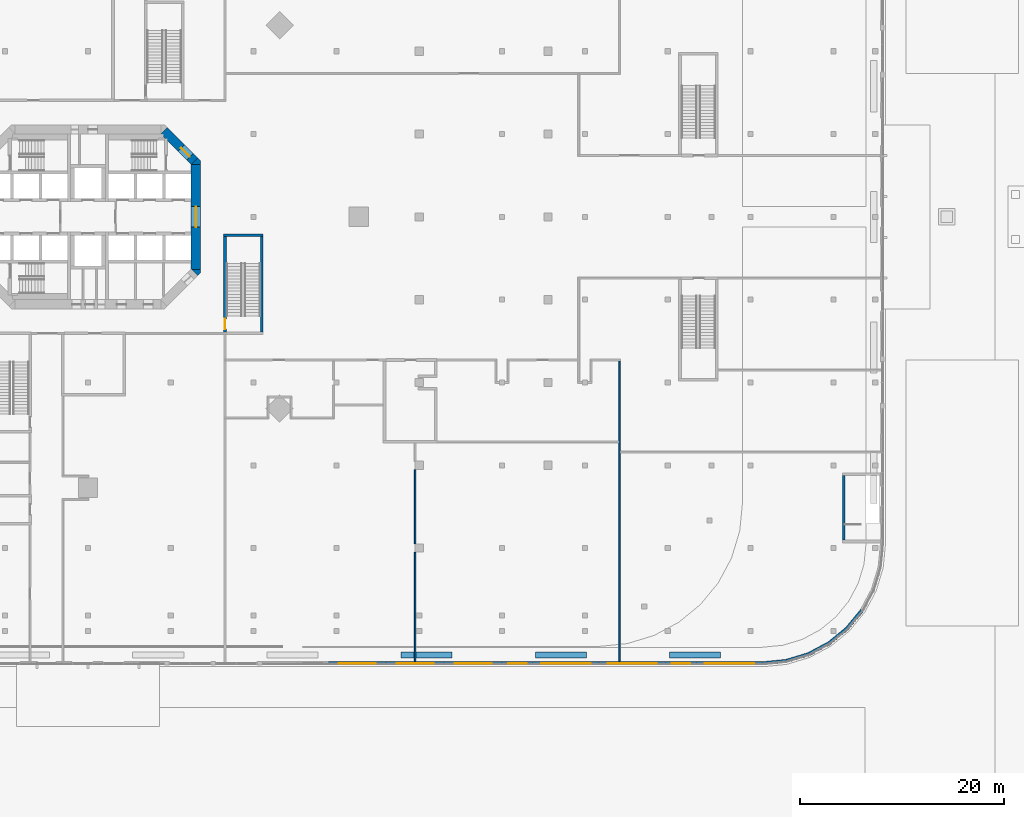
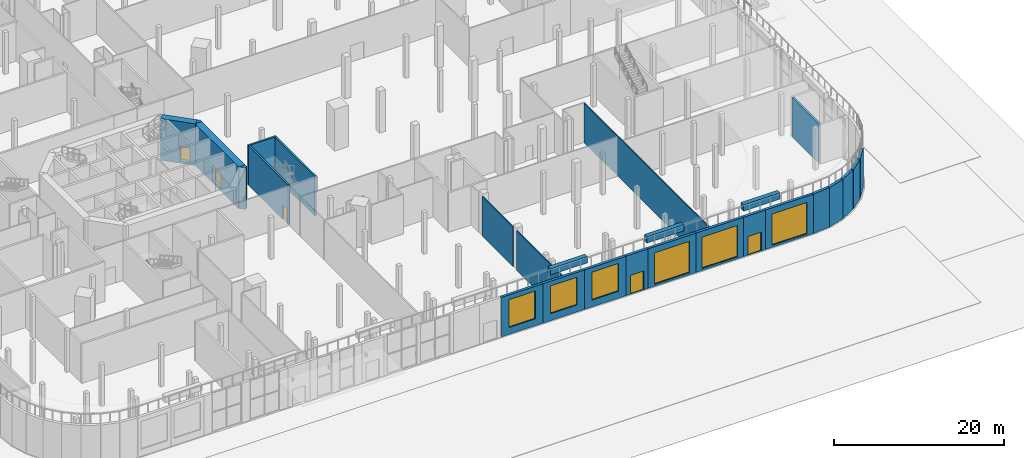
# One storey, part 17 of 32: 27 walls, 6 windows, 5 doors, 11 openings.
"""IFC4 building model written with IfcOpenShell, lengths in metres."""

from ifc_helpers import new_model, si_unit, direction, frame, frame_2d, origin, place, context, subcontext, project, spatial, polyline, rectangle, outline, extrude, material, layer, layer_set, type_object, element, fill, save


model = new_model("IFC4")

# Units and contexts
model_context = context("Model", 3, precision=1e-05, world=origin(), true_north=direction((0.0, 1.0)))
body_context = subcontext(model_context, "Body", "Model", "MODEL_VIEW")
ifc_project = project(units=[si_unit("LENGTHUNIT", "METRE"), si_unit("AREAUNIT", "SQUARE_METRE"), si_unit("VOLUMEUNIT", "CUBIC_METRE"), si_unit("PLANEANGLEUNIT", "RADIAN"), si_unit("MASSUNIT", "GRAM", prefix="KILO")], contexts=[model_context])

# Site, building, storey
site_placement = place(None, origin())
site = spatial("IfcSite", under=ifc_project, at=site_placement, CompositionType="ELEMENT")
building_placement = place(site_placement, origin())
building = spatial("IfcBuilding", under=site, at=building_placement, Name="Torre Triforio", CompositionType="ELEMENT")
storey_placement = place(building_placement, origin())
storey = spatial("IfcBuildingStorey", under=building, at=storey_placement, Name="L00", CompositionType="ELEMENT", Elevation=0.0)

# Wall, opening, door
ifc_material_1 = material(Name="Concrete C60", Category="concrete")
ifc_layer_1 = layer(ifc_material_1, 0.89990234375)
ifc_layer_set_1 = layer_set([ifc_layer_1], Name="Concrete C60")
wall_type_1 = type_object("IfcWallType", Name="Core wall 900 mm C60 EI 120", PredefinedType="SHEAR", material=ifc_layer_set_1)
wall_1_placement = place(storey_placement, frame((10.550048828125, -5.1298828125, -0.320068359375), z_axis=(0.0, 0.0, 1.0), x_axis=(0.0, 1.0, 0.0)))
wall_1 = element("IfcWall", 1, at=wall_1_placement, inside=storey, type_object=wall_type_1, Name="Core wall", PredefinedType="SHEAR", context=body_context, shape_type="SweptSolid", body=[
    extrude(rectangle(XDim=10.259765625, YDim=0.89990234375, at=frame_2d((5.1298828125, 0.0))), origin(), (0.0, 0.0, 1.0), 6.0),
])
opening_1_placement = place(wall_1_placement, frame((4.1298828125, 0.0, 0.320068359375)))
opening_1 = element("IfcOpeningElement", 2, at=opening_1_placement, cuts=wall_1, Name="Opening E-RING", PredefinedType="OPENING", context=body_context, shape_type="SweptSolid", body=[
    extrude(rectangle(XDim=2.0, YDim=2.10009765625, at=frame_2d((1.0, 1.050048828125))), frame((0.0, 0.4599609375, 0.0), z_axis=(0.0, -1.0, 0.0), x_axis=(1.0, 0.0, 0.0)), (0.0, 0.0, 1.0), 0.919921875),
])
ifc_material_2 = material(Name="Hollow metal fire door leaf")
door_type_1 = type_object("IfcDoorType", Name="Lobby door 2000 x 2100 EI 60", OperationType="DOUBLE_DOOR_SINGLE_SWING", PredefinedType="DOOR", material=ifc_material_2)
door_1_placement = place(opening_1_placement, origin())
door_1 = element("IfcDoor", 3, at=door_1_placement, inside=storey, type_object=door_type_1, Name="Core door E-RING", OperationType="DOUBLE_DOOR_SINGLE_SWING", OverallHeight=2.10009765625, OverallWidth=2.0, PredefinedType="DOOR", context=body_context, shape_type="SweptSolid", body=[
    extrude(rectangle(XDim=2.0, YDim=2.10009765625, at=frame_2d((1.0, 1.050048828125))), frame((0.0, 0.02490234375, 0.0), z_axis=(0.0, -1.0, 0.0), x_axis=(1.0, 0.0, 0.0)), (0.0, 0.0, 1.0), 0.050048828125),
])
fill(opening_1, door_1)

wall_2_placement = place(storey_placement, frame((7.418212890625, 8.418212890625, -0.320068359375), z_axis=(0.0, 0.0, 1.0), x_axis=(0.707106781187, -0.707106781187, 0.0)))
wall_2 = element("IfcWall", 4, at=wall_2_placement, inside=storey, type_object=wall_type_1, Name="Core wall", PredefinedType="SHEAR", context=body_context, shape_type="SweptSolid", body=[
    extrude(rectangle(XDim=4.24267578125, YDim=0.89990234375, at=frame_2d((2.121337890625, 0.0))), origin(), (0.0, 0.0, 1.0), 6.0),
])
opening_2_placement = place(wall_2_placement, frame((2.392578125, 0.0, 0.320068359375)))
opening_2 = element("IfcOpeningElement", 5, at=opening_2_placement, cuts=wall_2, Name="Opening ST2-EXIT", PredefinedType="OPENING", context=body_context, shape_type="SweptSolid", body=[
    extrude(rectangle(XDim=1.199951171875, YDim=2.10009765625, at=frame_2d((0.60009765625, 1.050048828125))), frame((0.0, 0.4599609375, 0.0), z_axis=(0.0, -1.0, 0.0), x_axis=(1.0, 0.0, 0.0)), (0.0, 0.0, 1.0), 0.919921875),
])
door_type_2 = type_object("IfcDoorType", Name="Stair lobby door 1200 x 2100 EI 60", OperationType="NOTDEFINED", PredefinedType="DOOR", material=ifc_material_2)
door_2_placement = place(opening_2_placement, origin())
door_2 = element("IfcDoor", 6, at=door_2_placement, inside=storey, type_object=door_type_2, Name="Core door ST2-EXIT", OperationType="SINGLE_SWING_LEFT", OverallHeight=2.10009765625, OverallWidth=1.199951171875, PredefinedType="DOOR", context=body_context, shape_type="SweptSolid", body=[
    extrude(rectangle(XDim=1.199951171875, YDim=2.10009765625, at=frame_2d((0.60009765625, 1.050048828125))), frame((0.0, 0.02490234375, 0.0), z_axis=(0.0, -1.0, 0.0), x_axis=(1.0, 0.0, 0.0)), (0.0, 0.0, 1.0), 0.050048828125),
])
fill(opening_2, door_2)

# Walls
wall_3_placement = place(storey_placement, frame((0.0, 0.0, -0.320068359375)))
element("IfcWall", 7, at=wall_3_placement, inside=storey, type_object=wall_type_1, Name="Core wall", PredefinedType="SHEAR", context=body_context, shape_type="SweptSolid", body=[
    extrude(outline(polyline([(11.0, -5.472900390625), (10.736328125, -5.736328125), (10.1298828125, -5.1298828125), (11.0, -5.1298828125), (11.0, -5.472900390625)])), origin(), (0.0, 0.0, 1.0), 6.0),
])
wall_4_placement = place(storey_placement, frame((0.0, 0.0, -0.320068359375)))
element("IfcWall", 8, at=wall_4_placement, inside=storey, type_object=wall_type_1, Name="Core wall", PredefinedType="SHEAR", context=body_context, shape_type="SweptSolid", body=[
    extrude(outline(polyline([(11.0, 5.472900390625), (11.0, 5.1298828125), (10.1298828125, 5.1298828125), (10.736328125, 5.736328125), (11.0, 5.472900390625)])), origin(), (0.0, 0.0, 1.0), 6.0),
])
ifc_material_3 = material(Name="Plasterboard on metal studs")
ifc_layer_2 = layer(ifc_material_3, 0.14990234375)
ifc_layer_set_2 = layer_set([ifc_layer_2], Name="Plasterboard on metal studs")
wall_type_2 = type_object("IfcWallType", Name="Corridor wall 150 EI 60", PredefinedType="PARTITIONING", material=ifc_layer_set_2)
wall_5_placement = place(storey_placement, frame((52.0, -43.5, 0.0), z_axis=(0.0, 0.0, 1.0), x_axis=(0.0, 1.0, 0.0)))
element("IfcWall", 9, at=wall_5_placement, inside=storey, type_object=wall_type_2, Name="Corridor wall L00 170", PredefinedType="PARTITIONING", context=body_context, shape_type="SweptSolid", body=[
    extrude(rectangle(XDim=29.425048828125, YDim=0.14990234375, at=frame_2d((14.71240234375, 0.0))), origin(), (0.0, 0.0, 1.0), 5.679931640625),
])
wall_6_placement = place(storey_placement, frame((32.0, -43.5, 0.0), z_axis=(0.0, 0.0, 1.0), x_axis=(0.0, 1.0, 0.0)))
element("IfcWall", 10, at=wall_6_placement, inside=storey, type_object=wall_type_2, Name="Corridor wall L00 173", PredefinedType="PARTITIONING", context=body_context, shape_type="SweptSolid", body=[
    extrude(rectangle(XDim=10.68994140625, YDim=0.14990234375, at=frame_2d((5.344970703125, 0.0))), origin(), (0.0, 0.0, 1.0), 5.679931640625),
])
wall_7_placement = place(storey_placement, frame((32.0, -31.989990234375, 0.0), z_axis=(0.0, 0.0, 1.0), x_axis=(0.0, 1.0, 0.0)))
element("IfcWall", 11, at=wall_7_placement, inside=storey, type_object=wall_type_2, Name="Corridor wall L00 174", PredefinedType="PARTITIONING", context=body_context, shape_type="SweptSolid", body=[
    extrude(rectangle(XDim=7.280029296875, YDim=0.14990234375, at=frame_2d((3.64013671875, 0.0))), origin(), (0.0, 0.0, 1.0), 5.679931640625),
])
ifc_material_4 = material(Name="Concrete C40", Category="concrete")
ifc_layer_3 = layer(ifc_material_4, 0.25)
ifc_layer_set_3 = layer_set([ifc_layer_3], Name="Concrete C40")
wall_type_3 = type_object("IfcWallType", Name="Stair enclosure wall 250 EI 120", PredefinedType="STANDARD", material=ifc_layer_set_3)
wall_8_placement = place(storey_placement, frame((73.89990234375, -31.625, 0.0), z_axis=(0.0, 0.0, 1.0), x_axis=(0.0, 1.0, 0.0)))
element("IfcWall", 12, at=wall_8_placement, inside=storey, type_object=wall_type_3, Name="Stair enclosure wall L00 025", PredefinedType="STANDARD", context=body_context, shape_type="SweptSolid", body=[
    extrude(rectangle(XDim=6.31005859375, YDim=0.25, at=frame_2d((3.155029296875, 0.0))), origin(), (0.0, 0.0, 1.0), 5.679931640625),
])
wall_9_placement = place(storey_placement, frame((13.27490234375, -1.800048828125, 0.0), z_axis=(0.0, 0.0, 1.0), x_axis=(1.0, 0.0, 0.0)))
element("IfcWall", 13, at=wall_9_placement, inside=storey, type_object=wall_type_3, Name="Stair enclosure wall L00 105", PredefinedType="STANDARD", context=body_context, shape_type="SweptSolid", body=[
    extrude(rectangle(XDim=3.85009765625, YDim=0.25, at=frame_2d((1.925048828125, 0.0))), origin(), (0.0, 0.0, 1.0), 5.679931640625),
])
wall_10_placement = place(storey_placement, frame((17.0, -11.27490234375, 0.0), z_axis=(0.0, 0.0, 1.0), x_axis=(0.0, 1.0, 0.0)))
element("IfcWall", 14, at=wall_10_placement, inside=storey, type_object=wall_type_3, Name="Stair enclosure wall L00 106", PredefinedType="STANDARD", context=body_context, shape_type="SweptSolid", body=[
    extrude(rectangle(XDim=9.349853515625, YDim=0.25, at=frame_2d((4.6748046875, 0.0))), origin(), (0.0, 0.0, 1.0), 5.679931640625),
])

# Wall, opening, door
wall_11_placement = place(storey_placement, frame((13.39990234375, -11.27490234375, 0.0), z_axis=(0.0, 0.0, 1.0), x_axis=(0.0, 1.0, 0.0)))
wall_11 = element("IfcWall", 15, at=wall_11_placement, inside=storey, type_object=wall_type_3, Name="Stair enclosure wall L00 135", PredefinedType="STANDARD", context=body_context, shape_type="SweptSolid", body=[
    extrude(rectangle(XDim=9.349853515625, YDim=0.25, at=frame_2d((4.6748046875, 0.0))), origin(), (0.0, 0.0, 1.0), 5.679931640625),
])
opening_3_placement = place(wall_11_placement, frame((0.300048828125, 0.0, 0.0)))
opening_3 = element("IfcOpeningElement", 16, at=opening_3_placement, cuts=wall_11, Name="Opening P0-02", PredefinedType="OPENING", context=body_context, shape_type="SweptSolid", body=[
    extrude(rectangle(XDim=1.0, YDim=2.10009765625, at=frame_2d((0.5, 1.050048828125))), frame((0.0, 0.135009765625, 0.0), z_axis=(0.0, -1.0, 0.0), x_axis=(1.0, 0.0, 0.0)), (0.0, 0.0, 1.0), 0.27001953125),
])
door_type_3 = type_object("IfcDoorType", Name="Stair door 1000 x 2100 EI 90", OperationType="NOTDEFINED", PredefinedType="DOOR", material=ifc_material_2)
door_3_placement = place(opening_3_placement, origin())
door_3 = element("IfcDoor", 17, at=door_3_placement, inside=storey, type_object=door_type_3, Name="Door P0-02", OperationType="SINGLE_SWING_LEFT", OverallHeight=2.10009765625, OverallWidth=1.0, PredefinedType="DOOR", context=body_context, shape_type="SweptSolid", body=[
    extrude(rectangle(XDim=1.0, YDim=2.10009765625, at=frame_2d((0.5, 1.050048828125))), frame((0.0, 0.02490234375, 0.0), z_axis=(0.0, -1.0, 0.0), x_axis=(1.0, 0.0, 0.0)), (0.0, 0.0, 1.0), 0.050048828125),
])
fill(opening_3, door_3)

# Walls
ifc_material_5 = material(Name="Limestone cladding", Category="masonry")
ifc_layer_4 = layer(ifc_material_5, 0.10009765625)
ifc_layer_5 = layer(ifc_material_4, 0.25)
ifc_layer_set_4 = layer_set([ifc_layer_4, ifc_layer_5], Name="Limestone cladding / Concrete C40")
wall_type_4 = type_object("IfcWallType", Name="Stone-clad podium wall 350", PredefinedType="STANDARD", material=ifc_layer_set_4)
wall_12_placement = place(storey_placement, frame((65.98388671875, -43.675048828125, 0.0), z_axis=(0.0, 0.0, 1.0), x_axis=(0.995187085002, 0.097993192849, 0.0)))
element("IfcWall", 18, at=wall_12_placement, inside=storey, type_object=wall_type_4, Name="External wall L00 e00.0.w0", PredefinedType="STANDARD", context=body_context, shape_type="SweptSolid", body=[
    extrude(rectangle(XDim=2.304443359375, YDim=0.35009765625, at=frame_2d((1.15234375, 0.0))), origin(), (0.0, 0.0, 1.0), 5.679931640625),
])
wall_13_placement = place(storey_placement, frame((68.27734375, -43.44921875, 0.0), z_axis=(0.0, 0.0, 1.0), x_axis=(0.956940921075, 0.29028274763, 0.0)))
element("IfcWall", 19, at=wall_13_placement, inside=storey, type_object=wall_type_4, Name="External wall L00 e01.0.w0", PredefinedType="STANDARD", context=body_context, shape_type="SweptSolid", body=[
    extrude(rectangle(XDim=2.28857421875, YDim=0.35009765625, at=frame_2d((1.144287109375, 0.0))), origin(), (0.0, 0.0, 1.0), 5.679931640625),
])
for number, where, z_axis, x_axis, name in (
    (20, (70.46728515625, -42.784912109375, 0.0), (0.0, 0.0, 1.0), (0.881888841544, 0.47145739061, 0.0), "External wall L00 e02.0.w0"),
    (21, (72.4853515625, -41.7060546875, 0.0), (0.0, 0.0, 1.0), (0.773043858187, 0.634352578082, 0.0), "External wall L00 e03.0.w0"),
    (22, (74.25439453125, -40.25439453125, 0.0), (0.0, 0.0, 1.0), (0.634352578082, 0.773043858187, 0.0), "External wall L00 e04.0.w0"),
):
    element("IfcWall", number, at=place(storey_placement, frame(where, z_axis=z_axis, x_axis=x_axis)), inside=storey, type_object=wall_type_4, Name=name, PredefinedType="STANDARD", context=body_context, shape_type="SweptSolid", body=[
        extrude(rectangle(XDim=2.288330078125, YDim=0.35009765625, at=frame_2d((1.14404296875, 0.0))), origin(), (0.0, 0.0, 1.0), 5.679931640625),
    ])

# Wall, opening, window
wall_14_placement = place(storey_placement, frame((23.5, -43.675048828125, 0.0), z_axis=(0.0, 0.0, 1.0), x_axis=(1.0, 0.0, 0.0)))
wall_14 = element("IfcWall", 23, at=wall_14_placement, inside=storey, type_object=wall_type_4, Name="External wall L00 e35.6.w0", PredefinedType="STANDARD", context=body_context, shape_type="SweptSolid", body=[
    extrude(rectangle(XDim=5.666748046875, YDim=0.35009765625, at=frame_2d((2.83349609375, 0.0))), origin(), (0.0, 0.0, 1.0), 5.679931640625),
])
opening_4_placement = place(wall_14_placement, frame((1.033203125, 0.0, 1.0)))
opening_4 = element("IfcOpeningElement", 24, at=opening_4_placement, cuts=wall_14, Name="Opening P0-W15", PredefinedType="OPENING", context=body_context, shape_type="SweptSolid", body=[
    extrude(rectangle(XDim=3.60009765625, YDim=4.0, at=frame_2d((1.800048828125, 2.0))), frame((0.0, 0.18505859375, 0.0), z_axis=(0.0, -1.0, 0.0), x_axis=(1.0, 0.0, 0.0)), (0.0, 0.0, 1.0), 0.3701171875),
])
ifc_material_6 = material(Name="Aluminium frame with clear double glazing", Category="aluminium")
window_type_1 = type_object("IfcWindowType", Name="Podium window 3600 x 4000", PartitioningType="DOUBLE_PANEL_VERTICAL", PredefinedType="WINDOW", material=ifc_material_6)
window_1_placement = place(opening_4_placement, origin())
window_1 = element("IfcWindow", 25, at=window_1_placement, inside=storey, type_object=window_type_1, Name="Window L00 e35.6.w0", OverallHeight=4.0, OverallWidth=3.60009765625, PartitioningType="SINGLE_PANEL", PredefinedType="WINDOW", context=body_context, shape_type="SweptSolid", body=[
    extrude(rectangle(XDim=3.60009765625, YDim=4.0, at=frame_2d((1.800048828125, 2.0))), frame((0.0, 0.030029296875, 0.0), z_axis=(0.0, -1.0, 0.0), x_axis=(1.0, 0.0, 0.0)), (0.0, 0.0, 1.0), 0.06005859375),
])
fill(opening_4, window_1)

wall_15_placement = place(storey_placement, frame((29.166748046875, -43.675048828125, 0.0), z_axis=(0.0, 0.0, 1.0), x_axis=(1.0, 0.0, 0.0)))
wall_15 = element("IfcWall", 26, at=wall_15_placement, inside=storey, type_object=wall_type_4, Name="External wall L00 e35.6.w1", PredefinedType="STANDARD", context=body_context, shape_type="SweptSolid", body=[
    extrude(rectangle(XDim=5.66650390625, YDim=0.35009765625, at=frame_2d((2.833251953125, 0.0))), origin(), (0.0, 0.0, 1.0), 5.679931640625),
])
opening_5_placement = place(wall_15_placement, frame((1.033203125, 0.0, 1.0)))
opening_5 = element("IfcOpeningElement", 27, at=opening_5_placement, cuts=wall_15, Name="Opening P0-W16", PredefinedType="OPENING", context=body_context, shape_type="SweptSolid", body=[
    extrude(rectangle(XDim=3.60009765625, YDim=4.0, at=frame_2d((1.800048828125, 2.0))), frame((0.0, 0.18505859375, 0.0), z_axis=(0.0, -1.0, 0.0), x_axis=(1.0, 0.0, 0.0)), (0.0, 0.0, 1.0), 0.3701171875),
])
window_2_placement = place(opening_5_placement, origin())
window_2 = element("IfcWindow", 28, at=window_2_placement, inside=storey, type_object=window_type_1, Name="Window L00 e35.6.w1", OverallHeight=4.0, OverallWidth=3.60009765625, PartitioningType="SINGLE_PANEL", PredefinedType="WINDOW", context=body_context, shape_type="SweptSolid", body=[
    extrude(rectangle(XDim=3.60009765625, YDim=4.0, at=frame_2d((1.800048828125, 2.0))), frame((0.0, 0.030029296875, 0.0), z_axis=(0.0, -1.0, 0.0), x_axis=(1.0, 0.0, 0.0)), (0.0, 0.0, 1.0), 0.06005859375),
])
fill(opening_5, window_2)

wall_16_placement = place(storey_placement, frame((34.833251953125, -43.675048828125, 0.0), z_axis=(0.0, 0.0, 1.0), x_axis=(1.0, 0.0, 0.0)))
wall_16 = element("IfcWall", 29, at=wall_16_placement, inside=storey, type_object=wall_type_4, Name="External wall L00 e35.6.w2", PredefinedType="STANDARD", context=body_context, shape_type="SweptSolid", body=[
    extrude(rectangle(XDim=5.666748046875, YDim=0.35009765625, at=frame_2d((2.83349609375, 0.0))), origin(), (0.0, 0.0, 1.0), 5.679931640625),
])
opening_6_placement = place(wall_16_placement, frame((1.033203125, 0.0, 1.0)))
opening_6 = element("IfcOpeningElement", 30, at=opening_6_placement, cuts=wall_16, Name="Opening P0-W17", PredefinedType="OPENING", context=body_context, shape_type="SweptSolid", body=[
    extrude(rectangle(XDim=3.60009765625, YDim=4.0, at=frame_2d((1.800048828125, 2.0))), frame((0.0, 0.18505859375, 0.0), z_axis=(0.0, -1.0, 0.0), x_axis=(1.0, 0.0, 0.0)), (0.0, 0.0, 1.0), 0.3701171875),
])
window_3_placement = place(opening_6_placement, origin())
window_3 = element("IfcWindow", 31, at=window_3_placement, inside=storey, type_object=window_type_1, Name="Window L00 e35.6.w2", OverallHeight=4.0, OverallWidth=3.60009765625, PartitioningType="SINGLE_PANEL", PredefinedType="WINDOW", context=body_context, shape_type="SweptSolid", body=[
    extrude(rectangle(XDim=3.60009765625, YDim=4.0, at=frame_2d((1.800048828125, 2.0))), frame((0.0, 0.030029296875, 0.0), z_axis=(0.0, -1.0, 0.0), x_axis=(1.0, 0.0, 0.0)), (0.0, 0.0, 1.0), 0.06005859375),
])
fill(opening_6, window_3)

# Wall, opening, door
wall_17_placement = place(storey_placement, frame((40.5, -43.675048828125, 0.0), z_axis=(0.0, 0.0, 1.0), x_axis=(1.0, 0.0, 0.0)))
wall_17 = element("IfcWall", 32, at=wall_17_placement, inside=storey, type_object=wall_type_4, Name="External wall L00 e35.7", PredefinedType="STANDARD", context=body_context, shape_type="SweptSolid", body=[
    extrude(rectangle(XDim=3.0, YDim=0.35009765625, at=frame_2d((1.5, 0.0))), origin(), (0.0, 0.0, 1.0), 5.679931640625),
])
opening_7_placement = place(wall_17_placement, frame((0.60009765625, 0.0, 0.0)))
opening_7 = element("IfcOpeningElement", 33, at=opening_7_placement, cuts=wall_17, Name="Opening P0-48", PredefinedType="OPENING", context=body_context, shape_type="SweptSolid", body=[
    extrude(rectangle(XDim=1.800048828125, YDim=2.699951171875, at=frame_2d((0.89990234375, 1.35009765625))), frame((0.0, 0.18505859375, 0.0), z_axis=(0.0, -1.0, 0.0), x_axis=(1.0, 0.0, 0.0)), (0.0, 0.0, 1.0), 0.3701171875),
])
ifc_material_7 = material(Name="Glazed aluminium door", Category="aluminium")
door_type_4 = type_object("IfcDoorType", Name="Shopfront double door 1800 x 2700", OperationType="NOTDEFINED", PredefinedType="DOOR", material=ifc_material_7)
door_4_placement = place(opening_7_placement, frame((1.800048828125, 0.0, 0.0), z_axis=(0.0, 0.0, 1.0), x_axis=(-1.0, 0.0, 0.0)))
door_4 = element("IfcDoor", 34, at=door_4_placement, inside=storey, type_object=door_type_4, Name="Door P0-48", OperationType="SINGLE_SWING_RIGHT", OverallHeight=2.699951171875, OverallWidth=1.800048828125, PredefinedType="DOOR", context=body_context, shape_type="SweptSolid", body=[
    extrude(rectangle(XDim=1.800048828125, YDim=2.699951171875, at=frame_2d((0.89990234375, 1.35009765625))), frame((0.0, 0.02490234375, 0.0), z_axis=(0.0, -1.0, 0.0), x_axis=(1.0, 0.0, 0.0)), (0.0, 0.0, 1.0), 0.050048828125),
])
fill(opening_7, door_4)

# Wall, opening, window
wall_18_placement = place(storey_placement, frame((43.5, -43.675048828125, 0.0), z_axis=(0.0, 0.0, 1.0), x_axis=(1.0, 0.0, 0.0)))
wall_18 = element("IfcWall", 35, at=wall_18_placement, inside=storey, type_object=wall_type_4, Name="External wall L00 e35.8.w0", PredefinedType="STANDARD", context=body_context, shape_type="SweptSolid", body=[
    extrude(rectangle(XDim=6.5, YDim=0.35009765625, at=frame_2d((3.25, 0.0))), origin(), (0.0, 0.0, 1.0), 5.679931640625),
])
opening_8_placement = place(wall_18_placement, frame((0.85009765625, 0.0, 0.300048828125)))
opening_8 = element("IfcOpeningElement", 36, at=opening_8_placement, cuts=wall_18, Name="Opening P0-W18", PredefinedType="OPENING", context=body_context, shape_type="SweptSolid", body=[
    extrude(rectangle(XDim=4.800048828125, YDim=4.5, at=frame_2d((2.39990234375, 2.25))), frame((0.0, 0.18505859375, 0.0), z_axis=(0.0, -1.0, 0.0), x_axis=(1.0, 0.0, 0.0)), (0.0, 0.0, 1.0), 0.3701171875),
])
ifc_material_8 = material(Name="Aluminium frame with clear laminated glazing", Category="aluminium")
window_type_2 = type_object("IfcWindowType", Name="Shopfront window 4800 x 4500", PartitioningType="DOUBLE_PANEL_VERTICAL", PredefinedType="WINDOW", material=ifc_material_8)
window_4_placement = place(opening_8_placement, origin())
window_4 = element("IfcWindow", 37, at=window_4_placement, inside=storey, type_object=window_type_2, Name="Window L00 e35.8.w0", OverallHeight=4.5, OverallWidth=4.800048828125, PartitioningType="SINGLE_PANEL", PredefinedType="WINDOW", context=body_context, shape_type="SweptSolid", body=[
    extrude(rectangle(XDim=4.800048828125, YDim=4.5, at=frame_2d((2.39990234375, 2.25))), frame((0.0, 0.030029296875, 0.0), z_axis=(0.0, -1.0, 0.0), x_axis=(1.0, 0.0, 0.0)), (0.0, 0.0, 1.0), 0.06005859375),
])
fill(opening_8, window_4)

wall_19_placement = place(storey_placement, frame((50.0, -43.675048828125, 0.0), z_axis=(0.0, 0.0, 1.0), x_axis=(1.0, 0.0, 0.0)))
wall_19 = element("IfcWall", 38, at=wall_19_placement, inside=storey, type_object=wall_type_4, Name="External wall L00 e35.8.w1", PredefinedType="STANDARD", context=body_context, shape_type="SweptSolid", body=[
    extrude(rectangle(XDim=6.5, YDim=0.35009765625, at=frame_2d((3.25, 0.0))), origin(), (0.0, 0.0, 1.0), 5.679931640625),
])
opening_9_placement = place(wall_19_placement, frame((0.85009765625, 0.0, 0.300048828125)))
opening_9 = element("IfcOpeningElement", 39, at=opening_9_placement, cuts=wall_19, Name="Opening P0-W19", PredefinedType="OPENING", context=body_context, shape_type="SweptSolid", body=[
    extrude(rectangle(XDim=4.800048828125, YDim=4.5, at=frame_2d((2.39990234375, 2.25))), frame((0.0, 0.18505859375, 0.0), z_axis=(0.0, -1.0, 0.0), x_axis=(1.0, 0.0, 0.0)), (0.0, 0.0, 1.0), 0.3701171875),
])
window_5_placement = place(opening_9_placement, origin())
window_5 = element("IfcWindow", 40, at=window_5_placement, inside=storey, type_object=window_type_2, Name="Window L00 e35.8.w1", OverallHeight=4.5, OverallWidth=4.800048828125, PartitioningType="SINGLE_PANEL", PredefinedType="WINDOW", context=body_context, shape_type="SweptSolid", body=[
    extrude(rectangle(XDim=4.800048828125, YDim=4.5, at=frame_2d((2.39990234375, 2.25))), frame((0.0, 0.030029296875, 0.0), z_axis=(0.0, -1.0, 0.0), x_axis=(1.0, 0.0, 0.0)), (0.0, 0.0, 1.0), 0.06005859375),
])
fill(opening_9, window_5)

# Wall, opening, door
wall_20_placement = place(storey_placement, frame((56.5, -43.675048828125, 0.0), z_axis=(0.0, 0.0, 1.0), x_axis=(1.0, 0.0, 0.0)))
wall_20 = element("IfcWall", 41, at=wall_20_placement, inside=storey, type_object=wall_type_4, Name="External wall L00 e35.9", PredefinedType="STANDARD", context=body_context, shape_type="SweptSolid", body=[
    extrude(rectangle(XDim=3.0, YDim=0.35009765625, at=frame_2d((1.5, 0.0))), origin(), (0.0, 0.0, 1.0), 5.679931640625),
])
opening_10_placement = place(wall_20_placement, frame((0.60009765625, 0.0, 0.0)))
opening_10 = element("IfcOpeningElement", 42, at=opening_10_placement, cuts=wall_20, Name="Opening P0-39", PredefinedType="OPENING", context=body_context, shape_type="SweptSolid", body=[
    extrude(rectangle(XDim=1.800048828125, YDim=2.699951171875, at=frame_2d((0.89990234375, 1.35009765625))), frame((0.0, 0.18505859375, 0.0), z_axis=(0.0, -1.0, 0.0), x_axis=(1.0, 0.0, 0.0)), (0.0, 0.0, 1.0), 0.3701171875),
])
door_5_placement = place(opening_10_placement, frame((1.800048828125, 0.0, 0.0), z_axis=(0.0, 0.0, 1.0), x_axis=(-1.0, 0.0, 0.0)))
door_5 = element("IfcDoor", 43, at=door_5_placement, inside=storey, type_object=door_type_4, Name="Door P0-39", OperationType="SINGLE_SWING_RIGHT", OverallHeight=2.699951171875, OverallWidth=1.800048828125, PredefinedType="DOOR", context=body_context, shape_type="SweptSolid", body=[
    extrude(rectangle(XDim=1.800048828125, YDim=2.699951171875, at=frame_2d((0.89990234375, 1.35009765625))), frame((0.0, 0.02490234375, 0.0), z_axis=(0.0, -1.0, 0.0), x_axis=(1.0, 0.0, 0.0)), (0.0, 0.0, 1.0), 0.050048828125),
])
fill(opening_10, door_5)

# Wall, opening, window
wall_21_placement = place(storey_placement, frame((59.5, -43.675048828125, 0.0), z_axis=(0.0, 0.0, 1.0), x_axis=(1.0, 0.0, 0.0)))
wall_21 = element("IfcWall", 44, at=wall_21_placement, inside=storey, type_object=wall_type_4, Name="External wall L00 e35.10.w0", PredefinedType="STANDARD", context=body_context, shape_type="SweptSolid", body=[
    extrude(rectangle(XDim=6.48388671875, YDim=0.35009765625, at=frame_2d((3.241943359375, 0.0))), origin(), (0.0, 0.0, 1.0), 5.679931640625),
])
opening_11_placement = place(wall_21_placement, frame((0.842041015625, 0.0, 0.300048828125)))
opening_11 = element("IfcOpeningElement", 45, at=opening_11_placement, cuts=wall_21, Name="Opening P0-W20", PredefinedType="OPENING", context=body_context, shape_type="SweptSolid", body=[
    extrude(rectangle(XDim=4.800048828125, YDim=4.5, at=frame_2d((2.39990234375, 2.25))), frame((0.0, 0.18505859375, 0.0), z_axis=(0.0, -1.0, 0.0), x_axis=(1.0, 0.0, 0.0)), (0.0, 0.0, 1.0), 0.3701171875),
])
window_6_placement = place(opening_11_placement, origin())
window_6 = element("IfcWindow", 46, at=window_6_placement, inside=storey, type_object=window_type_2, Name="Window L00 e35.10.w0", OverallHeight=4.5, OverallWidth=4.800048828125, PartitioningType="SINGLE_PANEL", PredefinedType="WINDOW", context=body_context, shape_type="SweptSolid", body=[
    extrude(rectangle(XDim=4.800048828125, YDim=4.5, at=frame_2d((2.39990234375, 2.25))), frame((0.0, 0.030029296875, 0.0), z_axis=(0.0, -1.0, 0.0), x_axis=(1.0, 0.0, 0.0)), (0.0, 0.0, 1.0), 0.06005859375),
])
fill(opening_11, window_6)

# Walls
ifc_layer_6 = layer(ifc_material_5, 0.10009765625)
ifc_layer_7 = layer(ifc_material_4, 0.5)
ifc_layer_set_5 = layer_set([ifc_layer_6, ifc_layer_7], Name="Limestone cladding / Concrete C40")
wall_type_5 = type_object("IfcWallType", Name="Terrace planter wall 600", PredefinedType="PARAPET", material=ifc_layer_set_5)
for number, where, z_axis, x_axis, name in (
    (47, (30.626708984375, -42.85009765625, 6.0), (0.0, 0.0, 1.0), (1.0, 0.0, 0.0), "Terrace T1 planter 36.5"),
    (48, (43.75341796875, -42.85009765625, 6.0), (0.0, 0.0, 1.0), (1.0, 0.0, 0.0), "Terrace T1 planter 36.6"),
    (49, (56.880126953125, -42.85009765625, 6.0), (0.0, 0.0, 1.0), (1.0, 0.0, 0.0), "Terrace T1 planter 36.7"),
):
    element("IfcWall", number, at=place(storey_placement, frame(where, z_axis=z_axis, x_axis=x_axis)), inside=storey, type_object=wall_type_5, Name=name, PredefinedType="PARAPET", context=body_context, shape_type="SweptSolid", body=[
        extrude(rectangle(XDim=5.0, YDim=0.60009765625, at=frame_2d((2.5, 0.0))), origin(), (0.0, 0.0, 1.0), 0.89990234375),
    ])

save(model, "model.ifc")
